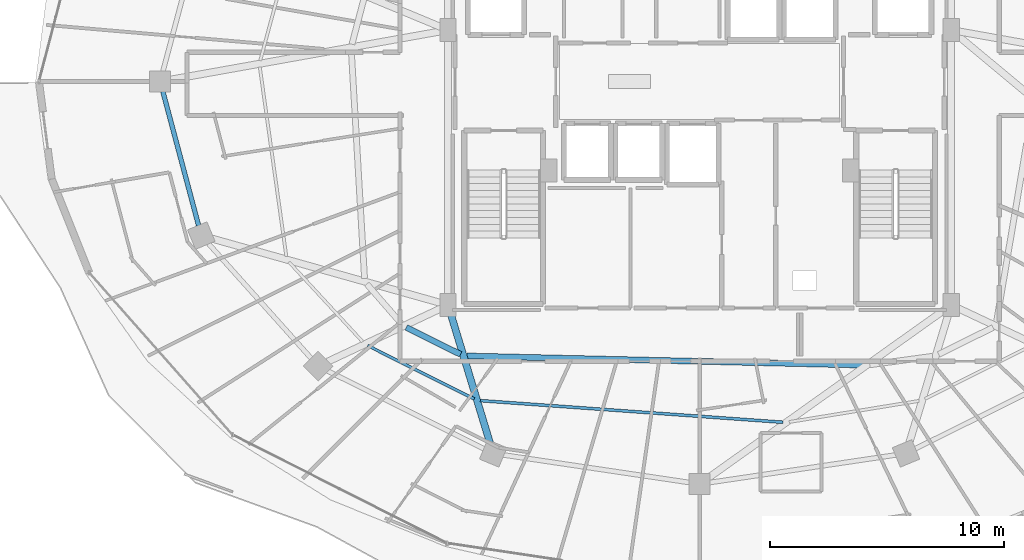
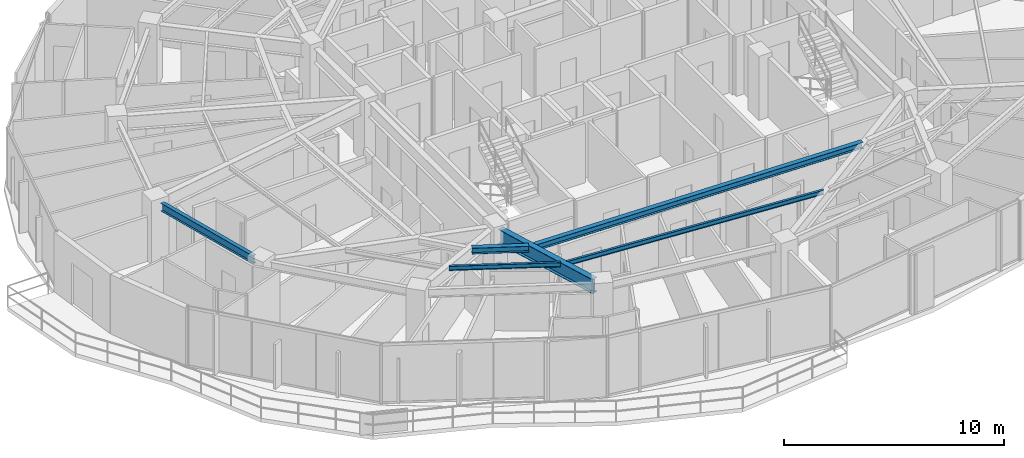
# One storey, part 6 of 33: 6 beams.
"""IFC4 building model written with IfcOpenShell, lengths in metres."""

from ifc_helpers import new_model, si_unit, direction, frame, origin, origin_2d, place, context, subcontext, project, spatial, i_section, extrude, material, material_profile, profile_set, type_object, element, save


model = new_model("IFC4")

# Units and contexts
model_context = context("Model", 3, precision=1e-05, world=origin(), true_north=direction((0.0, 1.0)))
body_context = subcontext(model_context, "Body", "Model", "MODEL_VIEW")
ifc_project = project(units=[si_unit("LENGTHUNIT", "METRE"), si_unit("AREAUNIT", "SQUARE_METRE"), si_unit("VOLUMEUNIT", "CUBIC_METRE"), si_unit("PLANEANGLEUNIT", "RADIAN"), si_unit("MASSUNIT", "GRAM", prefix="KILO")], contexts=[model_context])

# Site, building, storey
site_placement = place(None, origin())
site = spatial("IfcSite", under=ifc_project, at=site_placement, CompositionType="ELEMENT")
building_placement = place(site_placement, origin())
building = spatial("IfcBuilding", under=site, at=building_placement, Name="Vorneva Point Tower", CompositionType="ELEMENT")
storey_placement = place(building_placement, frame((0.0, 0.0, 203.64990234375)))
storey = spatial("IfcBuildingStorey", under=building, at=storey_placement, Name="L55", CompositionType="ELEMENT", Elevation=203.64990234375)

# Beams
ifc_material = material(Name="Steel S355", Category="steel")
ifc_material_profile_1 = material_profile(ifc_material, i_section(OverallWidth=0.300048828125, OverallDepth=0.7880859375, WebThickness=0.014404296875, FlangeThickness=0.02197265625, at=origin_2d()), Name="80Sh1")
ifc_profile_set_1 = profile_set([ifc_material_profile_1], Name="Steel S355")
beam_type_1 = type_object("IfcBeamType", Name="BM-GRD-80Sh1", PredefinedType="USERDEFINED", material=ifc_profile_set_1)
beam_1_placement = place(storey_placement, frame((29.051513671875, 10.5283203125, 2.89599609375), z_axis=(-0.291025429135, 0.956715317948, 0.0), x_axis=(-0.956715317948, -0.291025429135, 0.0)))
element("IfcBeam", 1, at=beam_1_placement, inside=storey, type_object=beam_type_1, Name="L55 Radial Primary Girder 12", ObjectType="GIRDER", PredefinedType="USERDEFINED", context=body_context, shape_type="SweptSolid", body=[
    extrude(i_section(OverallWidth=0.300048828125, OverallDepth=0.7880859375, WebThickness=0.014404296875, FlangeThickness=0.02197265625, at=origin_2d()), origin(), (0.0, 0.0, 1.0), 5.849609375),
])
ifc_material_profile_2 = material_profile(ifc_material, i_section(OverallWidth=0.1240234375, OverallDepth=0.248046875, WebThickness=0.0048828125, FlangeThickness=0.008056640625, at=origin_2d()), Name="25B1")
ifc_profile_set_2 = profile_set([ifc_material_profile_2], Name="Steel S355")
beam_type_2 = type_object("IfcBeamType", Name="BM-JST-25B1", PredefinedType="JOIST", material=ifc_profile_set_2)
beam_2_placement = place(storey_placement, frame((23.819580078125, 14.715087890625, 3.166015625), z_axis=(0.894062048445, -0.447943136493, 0.0), x_axis=(0.447943136493, 0.894062048445, 0.0)))
element("IfcBeam", 2, at=beam_2_placement, inside=storey, type_object=beam_type_2, Name="L55 Secondary Floor Beam 1.11", PredefinedType="JOIST", context=body_context, shape_type="SweptSolid", body=[
    extrude(i_section(OverallWidth=0.1240234375, OverallDepth=0.248046875, WebThickness=0.0048828125, FlangeThickness=0.008056640625, at=origin_2d()), origin(), (0.0, 0.0, 1.0), 5.085693359375),
])
beam_3_placement = place(storey_placement, frame((28.62744140625, 12.365234375, 3.166015625), z_axis=(0.997446639942, -0.071415687826, 0.0), x_axis=(0.071415687826, 0.997446639942, 0.0)))
element("IfcBeam", 3, at=beam_3_placement, inside=storey, type_object=beam_type_2, Name="L55 Secondary Floor Beam 1.12", PredefinedType="JOIST", context=body_context, shape_type="SweptSolid", body=[
    extrude(i_section(OverallWidth=0.1240234375, OverallDepth=0.248046875, WebThickness=0.0048828125, FlangeThickness=0.008056640625, at=origin_2d()), origin(), (0.0, 0.0, 1.0), 12.96337890625),
])
ifc_material_profile_3 = material_profile(ifc_material, i_section(OverallWidth=0.2490234375, OverallDepth=0.333984375, WebThickness=0.008056640625, FlangeThickness=0.010986328125, at=origin_2d()), Name="35Sh1")
ifc_profile_set_3 = profile_set([ifc_material_profile_3], Name="Steel S355")
beam_type_3 = type_object("IfcBeamType", Name="BM-SEC-35Sh1", PredefinedType="BEAM", material=ifc_profile_set_3)
beam_4_placement = place(storey_placement, frame((25.46728515625, 15.4912109375, 3.123046875), z_axis=(0.895686614841, -0.444685830666, 0.0), x_axis=(0.444685830666, 0.895686614841, 0.0)))
element("IfcBeam", 4, at=beam_4_placement, inside=storey, type_object=beam_type_3, Name="L55 Secondary Floor Beam 2.11", PredefinedType="BEAM", context=body_context, shape_type="SweptSolid", body=[
    extrude(i_section(OverallWidth=0.2490234375, OverallDepth=0.333984375, WebThickness=0.008056640625, FlangeThickness=0.010986328125, at=origin_2d()), origin(), (0.0, 0.0, 1.0), 2.59033203125),
])
beam_5_placement = place(storey_placement, frame((28.048828125, 14.274658203125, 3.123046875), z_axis=(0.999729817737, -0.023244171913, 0.0), x_axis=(0.023244171913, 0.999729817737, 0.0)))
element("IfcBeam", 5, at=beam_5_placement, inside=storey, type_object=beam_type_3, Name="L55 Secondary Floor Beam 2.12", PredefinedType="BEAM", context=body_context, shape_type="SweptSolid", body=[
    extrude(i_section(OverallWidth=0.2490234375, OverallDepth=0.333984375, WebThickness=0.008056640625, FlangeThickness=0.010986328125, at=origin_2d()), origin(), (0.0, 0.0, 1.0), 16.952392578125),
])
ifc_material_profile_4 = material_profile(ifc_material, i_section(OverallWidth=0.198974609375, OverallDepth=0.446044921875, WebThickness=0.008056640625, FlangeThickness=0.011962890625, at=origin_2d()), Name="45B1")
ifc_profile_set_4 = profile_set([ifc_material_profile_4], Name="Steel S355")
beam_type_4 = type_object("IfcBeamType", Name="BM-SPN-45B1", PredefinedType="SPANDREL", material=ifc_profile_set_4)
beam_6_placement = place(storey_placement, frame((15.06201171875, 25.57958984375, 3.067138671875), z_axis=(0.257578258003, -0.966257440336, 0.0), x_axis=(0.966257440336, 0.257578258003, 0.0)))
element("IfcBeam", 6, at=beam_6_placement, inside=storey, type_object=beam_type_4, Name="L55 Perimeter Spandrel Ring Beam 09", PredefinedType="SPANDREL", context=body_context, shape_type="SweptSolid", body=[
    extrude(i_section(OverallWidth=0.198974609375, OverallDepth=0.446044921875, WebThickness=0.008056640625, FlangeThickness=0.011962890625, at=origin_2d()), origin(), (0.0, 0.0, 1.0), 5.94189453125),
])

save(model, "model.ifc")
